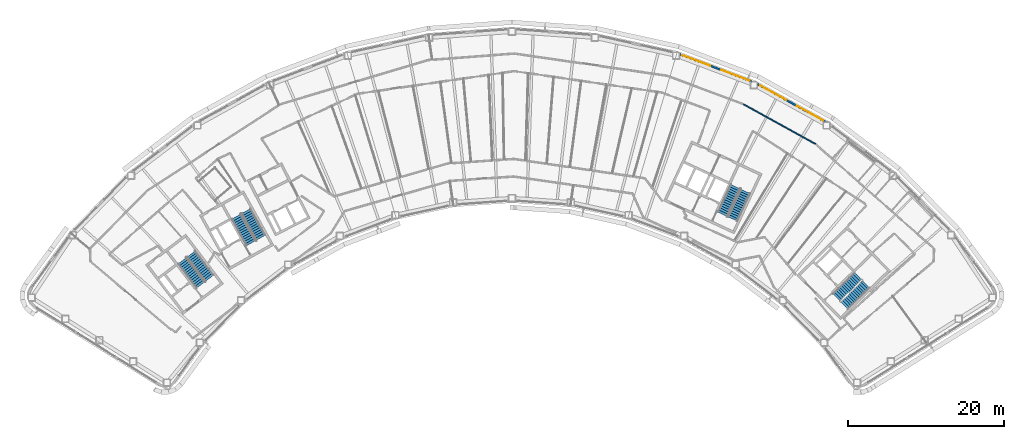
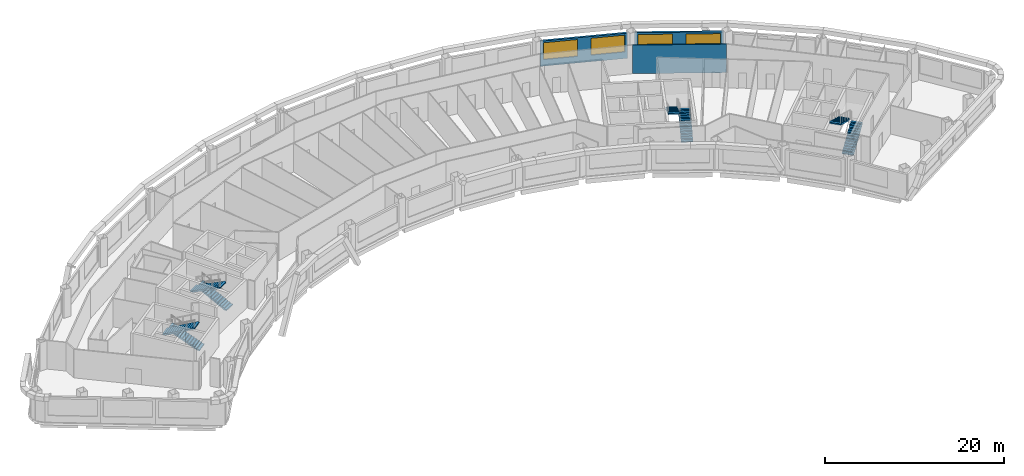
# One storey, part 12 of 17: 8 stair flights, 4 windows, 3 walls, 4 openings, 4 elements without a shape of their own.
"""IFC4 building model written with IfcOpenShell, lengths in metres."""

from ifc_helpers import new_model, si_unit, direction, frame, frame_2d, origin, place, context, subcontext, project, spatial, polyline, rectangle, outline, extrude, material, layer, layer_set, type_object, element, fill, aggregate, save


model = new_model("IFC4")

# Units and contexts
model_context = context("Model", 3, precision=1e-05, world=origin(), true_north=direction((0.0, 1.0)))
body_context = subcontext(model_context, "Body", "Model", "MODEL_VIEW")
ifc_project = project(units=[si_unit("LENGTHUNIT", "METRE"), si_unit("AREAUNIT", "SQUARE_METRE"), si_unit("VOLUMEUNIT", "CUBIC_METRE"), si_unit("PLANEANGLEUNIT", "RADIAN"), si_unit("MASSUNIT", "GRAM", prefix="KILO")], contexts=[model_context])

# Site, building, storey
site_placement = place(None, origin())
site = spatial("IfcSite", under=ifc_project, at=site_placement, CompositionType="ELEMENT")
building_placement = place(site_placement, origin())
building = spatial("IfcBuilding", under=site, at=building_placement, Name="Tuul Gate Civic Tower", CompositionType="ELEMENT")
storey_placement = place(building_placement, frame((0.0, 0.0, 222.10009765625)))
storey = spatial("IfcBuildingStorey", under=building, at=storey_placement, Name="Level 50", CompositionType="ELEMENT", Elevation=222.10009765625)

# Wall
ifc_material_1 = material(Name="Gypsum board partition")
ifc_layer_1 = layer(ifc_material_1, 0.14990234375)
ifc_layer_set_1 = layer_set([ifc_layer_1], Name="Gypsum board partition")
wall_type_1 = type_object("IfcWallType", Name="Corridor wall P150", PredefinedType="PARTITIONING", material=ifc_layer_set_1)
wall_1_placement = place(storey_placement, frame((35.687744140625, 9.25048828125, 0.0), z_axis=(0.0, 0.0, 1.0), x_axis=(0.874959859782, -0.484195460295, 0.0)))
element("IfcWall", 1, at=wall_1_placement, inside=storey, type_object=wall_type_1, Name="p008", PredefinedType="PARTITIONING", context=body_context, shape_type="SweptSolid", body=[
    extrude(rectangle(XDim=10.530517578125, YDim=0.14990234375, at=frame_2d((5.26513671875, 0.0))), origin(), (0.0, 0.0, 1.0), 3.89990234375),
])

# Wall, openings, windows
ifc_material_2 = material(Name="Precast concrete C40/50", Category="concrete")
ifc_layer_2 = layer(ifc_material_2, 0.25)
ifc_layer_set_2 = layer_set([ifc_layer_2], Name="Precast concrete C40/50")
wall_type_2 = type_object("IfcWallType", Name="External wall", PredefinedType="STANDARD", material=ifc_layer_set_2)
wall_2_placement = place(storey_placement, frame((46.201171875, 6.992919921875, 0.0), z_axis=(0.0, 0.0, 1.0), x_axis=(-0.874625464024, 0.484799234405, 0.0)))
wall_2 = element("IfcWall", 2, at=wall_2_placement, inside=storey, type_object=wall_type_2, Name="External wall", PredefinedType="STANDARD", context=body_context, shape_type="SweptSolid", body=[
    extrude(rectangle(XDim=10.00244140625, YDim=0.25, at=frame_2d((5.001220703125, 0.0))), origin(), (0.0, 0.0, 1.0), 3.449951171875),
])
opening_1_placement = place(wall_2_placement, frame((0.38671875, 0.0, 0.89990234375)))
opening_1 = element("IfcOpeningElement", 3, at=opening_1_placement, cuts=wall_2, Name="Opening W22", PredefinedType="OPENING", context=body_context, shape_type="SweptSolid", body=[
    extrude(rectangle(XDim=3.85009765625, YDim=2.300048828125, at=frame_2d((1.925048828125, 1.14990234375))), frame((0.0, 0.135009765625, 0.0), z_axis=(0.0, -1.0, 0.0), x_axis=(1.0, 0.0, 0.0)), (0.0, 0.0, 1.0), 0.27001953125),
])
opening_2_placement = place(wall_2_placement, frame((5.758056640625, 0.0, 0.89990234375)))
opening_2 = element("IfcOpeningElement", 4, at=opening_2_placement, cuts=wall_2, Name="Opening W22", PredefinedType="OPENING", context=body_context, shape_type="SweptSolid", body=[
    extrude(rectangle(XDim=3.85009765625, YDim=2.300048828125, at=frame_2d((1.925048828125, 1.14990234375))), frame((0.0, 0.135009765625, 0.0), z_axis=(0.0, -1.0, 0.0), x_axis=(1.0, 0.0, 0.0)), (0.0, 0.0, 1.0), 0.27001953125),
])
ifc_material_3 = material(Name="Glass", Category="glass")
window_type = type_object("IfcWindowType", Name="Window W22 3850 x 2300", PartitioningType="SINGLE_PANEL", PredefinedType="WINDOW", material=ifc_material_3)
window_1_placement = place(opening_1_placement, origin())
window_1 = element("IfcWindow", 5, at=window_1_placement, inside=storey, type_object=window_type, Name="Window", OverallHeight=2.300048828125, OverallWidth=3.85009765625, PartitioningType="SINGLE_PANEL", PredefinedType="WINDOW", context=body_context, shape_type="SweptSolid", body=[
    extrude(rectangle(XDim=3.85009765625, YDim=2.300048828125, at=frame_2d((1.925048828125, 1.14990234375))), frame((0.0, 0.030029296875, 0.0), z_axis=(0.0, -1.0, 0.0), x_axis=(1.0, 0.0, 0.0)), (0.0, 0.0, 1.0), 0.06005859375),
])
fill(opening_1, window_1)
window_2_placement = place(opening_2_placement, origin())
window_2 = element("IfcWindow", 6, at=window_2_placement, inside=storey, type_object=window_type, Name="Window", OverallHeight=2.300048828125, OverallWidth=3.85009765625, PartitioningType="SINGLE_PANEL", PredefinedType="WINDOW", context=body_context, shape_type="SweptSolid", body=[
    extrude(rectangle(XDim=3.85009765625, YDim=2.300048828125, at=frame_2d((1.925048828125, 1.14990234375))), frame((0.0, 0.030029296875, 0.0), z_axis=(0.0, -1.0, 0.0), x_axis=(1.0, 0.0, 0.0)), (0.0, 0.0, 1.0), 0.06005859375),
])
fill(opening_2, window_2)

wall_3_placement = place(storey_placement, frame((36.733642578125, 12.1689453125, 0.0), z_axis=(0.0, 0.0, 1.0), x_axis=(-0.935369774389, 0.353671295358, 0.0)))
wall_3 = element("IfcWall", 7, at=wall_3_placement, inside=storey, type_object=wall_type_2, Name="External wall", PredefinedType="STANDARD", context=body_context, shape_type="SweptSolid", body=[
    extrude(rectangle(XDim=9.907958984375, YDim=0.25, at=frame_2d((4.9541015625, 0.0))), origin(), (0.0, 0.0, 1.0), 3.449951171875),
])
opening_3_placement = place(wall_3_placement, frame((0.31689453125, 0.0, 0.89990234375)))
opening_3 = element("IfcOpeningElement", 8, at=opening_3_placement, cuts=wall_3, Name="Opening W22", PredefinedType="OPENING", context=body_context, shape_type="SweptSolid", body=[
    extrude(rectangle(XDim=3.85009765625, YDim=2.300048828125, at=frame_2d((1.925048828125, 1.14990234375))), frame((0.0, 0.135009765625, 0.0), z_axis=(0.0, -1.0, 0.0), x_axis=(1.0, 0.0, 0.0)), (0.0, 0.0, 1.0), 0.27001953125),
])
opening_4_placement = place(wall_3_placement, frame((5.68798828125, 0.0, 0.89990234375)))
opening_4 = element("IfcOpeningElement", 9, at=opening_4_placement, cuts=wall_3, Name="Opening W22", PredefinedType="OPENING", context=body_context, shape_type="SweptSolid", body=[
    extrude(rectangle(XDim=3.85009765625, YDim=2.300048828125, at=frame_2d((1.925048828125, 1.14990234375))), frame((0.0, 0.135009765625, 0.0), z_axis=(0.0, -1.0, 0.0), x_axis=(1.0, 0.0, 0.0)), (0.0, 0.0, 1.0), 0.27001953125),
])
window_3_placement = place(opening_3_placement, origin())
window_3 = element("IfcWindow", 10, at=window_3_placement, inside=storey, type_object=window_type, Name="Window", OverallHeight=2.300048828125, OverallWidth=3.85009765625, PartitioningType="SINGLE_PANEL", PredefinedType="WINDOW", context=body_context, shape_type="SweptSolid", body=[
    extrude(rectangle(XDim=3.85009765625, YDim=2.300048828125, at=frame_2d((1.925048828125, 1.14990234375))), frame((0.0, 0.030029296875, 0.0), z_axis=(0.0, -1.0, 0.0), x_axis=(1.0, 0.0, 0.0)), (0.0, 0.0, 1.0), 0.06005859375),
])
fill(opening_3, window_3)
window_4_placement = place(opening_4_placement, origin())
window_4 = element("IfcWindow", 11, at=window_4_placement, inside=storey, type_object=window_type, Name="Window", OverallHeight=2.300048828125, OverallWidth=3.85009765625, PartitioningType="SINGLE_PANEL", PredefinedType="WINDOW", context=body_context, shape_type="SweptSolid", body=[
    extrude(rectangle(XDim=3.85009765625, YDim=2.300048828125, at=frame_2d((1.925048828125, 1.14990234375))), frame((0.0, 0.030029296875, 0.0), z_axis=(0.0, -1.0, 0.0), x_axis=(1.0, 0.0, 0.0)), (0.0, 0.0, 1.0), 0.06005859375),
])
fill(opening_4, window_4)

# Stair, stair flights
ifc_material_4 = material(Name="Concrete C40/50", Category="concrete")
stair_type = type_object("IfcStairType", Name="Exit stair", PredefinedType="HALF_TURN_STAIR", material=ifc_material_4)
stair_1_placement = place(storey_placement, origin())
stair_1 = element("IfcStair", 12, at=stair_1_placement, inside=storey, type_object=stair_type, Name="Level 50 ST-1", PredefinedType="HALF_TURN_STAIR")
ifc_material_5 = material(Name="Concrete C40/50", Category="concrete")
stair_flight_type = type_object("IfcStairFlightType", Name="Exit stair flight", PredefinedType="STRAIGHT", material=ifc_material_5)
stair_flight_1_placement = place(storey_placement, frame((-32.875244140625, -13.066650390625, 0.0), z_axis=(0.0, 0.0, 1.0), x_axis=(-0.605764474941, 0.795644016442, 0.0)))
stair_flight_1 = element("IfcStairFlight", 13, at=stair_flight_1_placement, type_object=stair_flight_type, Name="ST-1 flight 1", NumberOfRisers=14, NumberOfTreads=13, PredefinedType="STRAIGHT", RiserHeight=0.15, TreadLength=0.3, context=body_context, shape_type="SweptSolid", body=[
    extrude(outline(polyline([(0.0, 0.0), (0.0, 0.14990234375), (0.300048828125, 0.14990234375), (0.300048828125, 0.300048828125), (0.60009765625, 0.300048828125), (0.60009765625, 0.449951171875), (0.89990234375, 0.449951171875), (0.89990234375, 0.60009765625), (1.199951171875, 0.60009765625), (1.199951171875, 0.75), (1.5, 0.75), (1.5, 0.89990234375), (1.800048828125, 0.89990234375), (1.800048828125, 1.050048828125), (2.10009765625, 1.050048828125), (2.10009765625, 1.199951171875), (2.39990234375, 1.199951171875), (2.39990234375, 1.35009765625), (2.699951171875, 1.35009765625), (2.699951171875, 1.5), (3.0, 1.5), (3.0, 1.64990234375), (3.300048828125, 1.64990234375), (3.300048828125, 1.800048828125), (3.60009765625, 1.800048828125), (3.60009765625, 1.949951171875), (3.89990234375, 1.949951171875), (3.89990234375, 2.10009765625), (3.89990234375, 1.782470703125), (0.335205078125, 0.0), (0.0, 0.0)])), frame((0.0, 0.675048828125, 0.0), z_axis=(0.0, -1.0, 0.0), x_axis=(1.0, 0.0, 0.0)), (0.0, 0.0, 1.0), 1.35009765625),
])
stair_flight_2_placement = place(storey_placement, frame((-36.391357421875, -10.842041015625, 2.099853515625), z_axis=(0.0, 0.0, 1.0), x_axis=(0.605764474941, -0.795644016442, 0.0)))
stair_flight_2 = element("IfcStairFlight", 14, at=stair_flight_2_placement, type_object=stair_flight_type, Name="ST-1 flight 2", NumberOfRisers=14, NumberOfTreads=13, PredefinedType="STRAIGHT", RiserHeight=0.15, TreadLength=0.3, context=body_context, shape_type="SweptSolid", body=[
    extrude(outline(polyline([(0.0, 0.0), (0.0, 0.14990234375), (0.300048828125, 0.14990234375), (0.300048828125, 0.300048828125), (0.60009765625, 0.300048828125), (0.60009765625, 0.449951171875), (0.89990234375, 0.449951171875), (0.89990234375, 0.60009765625), (1.199951171875, 0.60009765625), (1.199951171875, 0.75), (1.5, 0.75), (1.5, 0.89990234375), (1.800048828125, 0.89990234375), (1.800048828125, 1.050048828125), (2.10009765625, 1.050048828125), (2.10009765625, 1.199951171875), (2.39990234375, 1.199951171875), (2.39990234375, 1.35009765625), (2.699951171875, 1.35009765625), (2.699951171875, 1.5), (3.0, 1.5), (3.0, 1.64990234375), (3.300048828125, 1.64990234375), (3.300048828125, 1.800048828125), (3.60009765625, 1.800048828125), (3.60009765625, 1.949951171875), (3.89990234375, 1.949951171875), (3.89990234375, 2.10009765625), (3.89990234375, 1.782470703125), (0.335205078125, 0.0), (0.0, 0.0)])), frame((0.0, 0.675048828125, 0.0), z_axis=(0.0, -1.0, 0.0), x_axis=(1.0, 0.0, 0.0)), (0.0, 0.0, 1.0), 1.35009765625),
])
aggregate(stair_1, [stair_flight_1, stair_flight_2])

stair_2_placement = place(storey_placement, origin())
stair_2 = element("IfcStair", 15, at=stair_2_placement, inside=storey, type_object=stair_type, Name="Level 50 ST-2", PredefinedType="HALF_TURN_STAIR")
stair_flight_3_placement = place(storey_placement, frame((-26.29150390625, -7.87646484375, 0.0), z_axis=(0.0, 0.0, 1.0), x_axis=(-0.484761763766, 0.874646232708, 0.0)))
stair_flight_3 = element("IfcStairFlight", 16, at=stair_flight_3_placement, type_object=stair_flight_type, Name="ST-2 flight 1", NumberOfRisers=14, NumberOfTreads=13, PredefinedType="STRAIGHT", RiserHeight=0.15, TreadLength=0.3, context=body_context, shape_type="SweptSolid", body=[
    extrude(outline(polyline([(0.0, 0.0), (0.0, 0.14990234375), (0.300048828125, 0.14990234375), (0.300048828125, 0.300048828125), (0.60009765625, 0.300048828125), (0.60009765625, 0.449951171875), (0.89990234375, 0.449951171875), (0.89990234375, 0.60009765625), (1.199951171875, 0.60009765625), (1.199951171875, 0.75), (1.5, 0.75), (1.5, 0.89990234375), (1.800048828125, 0.89990234375), (1.800048828125, 1.050048828125), (2.10009765625, 1.050048828125), (2.10009765625, 1.199951171875), (2.39990234375, 1.199951171875), (2.39990234375, 1.35009765625), (2.699951171875, 1.35009765625), (2.699951171875, 1.5), (3.0, 1.5), (3.0, 1.64990234375), (3.300048828125, 1.64990234375), (3.300048828125, 1.800048828125), (3.60009765625, 1.800048828125), (3.60009765625, 1.949951171875), (3.89990234375, 1.949951171875), (3.89990234375, 2.10009765625), (3.89990234375, 1.782470703125), (0.335205078125, 0.0), (0.0, 0.0)])), frame((0.0, 0.675048828125, 0.0), z_axis=(0.0, -1.0, 0.0), x_axis=(1.0, 0.0, 0.0)), (0.0, 0.0, 1.0), 1.35009765625),
])
stair_flight_4_placement = place(storey_placement, frame((-29.450439453125, -5.168212890625, 2.099853515625), z_axis=(0.0, 0.0, 1.0), x_axis=(0.484761763766, -0.874646232708, 0.0)))
stair_flight_4 = element("IfcStairFlight", 17, at=stair_flight_4_placement, type_object=stair_flight_type, Name="ST-2 flight 2", NumberOfRisers=14, NumberOfTreads=13, PredefinedType="STRAIGHT", RiserHeight=0.15, TreadLength=0.3, context=body_context, shape_type="SweptSolid", body=[
    extrude(outline(polyline([(0.0, 0.0), (0.0, 0.14990234375), (0.300048828125, 0.14990234375), (0.300048828125, 0.300048828125), (0.60009765625, 0.300048828125), (0.60009765625, 0.449951171875), (0.89990234375, 0.449951171875), (0.89990234375, 0.60009765625), (1.199951171875, 0.60009765625), (1.199951171875, 0.75), (1.5, 0.75), (1.5, 0.89990234375), (1.800048828125, 0.89990234375), (1.800048828125, 1.050048828125), (2.10009765625, 1.050048828125), (2.10009765625, 1.199951171875), (2.39990234375, 1.199951171875), (2.39990234375, 1.35009765625), (2.699951171875, 1.35009765625), (2.699951171875, 1.5), (3.0, 1.5), (3.0, 1.64990234375), (3.300048828125, 1.64990234375), (3.300048828125, 1.800048828125), (3.60009765625, 1.800048828125), (3.60009765625, 1.949951171875), (3.89990234375, 1.949951171875), (3.89990234375, 2.10009765625), (3.89990234375, 1.782470703125), (0.335205078125, 0.0), (0.0, 0.0)])), frame((0.0, 0.675048828125, 0.0), z_axis=(0.0, -1.0, 0.0), x_axis=(1.0, 0.0, 0.0)), (0.0, 0.0, 1.0), 1.35009765625),
])
aggregate(stair_2, [stair_flight_3, stair_flight_4])

stair_3_placement = place(storey_placement, origin())
stair_3 = element("IfcStair", 18, at=stair_3_placement, inside=storey, type_object=stair_type, Name="Level 50 ST-3", PredefinedType="HALF_TURN_STAIR")
stair_flight_5_placement = place(storey_placement, frame((48.61376953125, -16.581787109375, 0.0), z_axis=(0.0, 0.0, 1.0), x_axis=(0.714127290059, 0.700015866672, 0.0)))
stair_flight_5 = element("IfcStairFlight", 19, at=stair_flight_5_placement, type_object=stair_flight_type, Name="ST-3 flight 1", NumberOfRisers=14, NumberOfTreads=13, PredefinedType="STRAIGHT", RiserHeight=0.15, TreadLength=0.3, context=body_context, shape_type="SweptSolid", body=[
    extrude(outline(polyline([(0.0, 0.0), (0.0, 0.14990234375), (0.300048828125, 0.14990234375), (0.300048828125, 0.300048828125), (0.60009765625, 0.300048828125), (0.60009765625, 0.449951171875), (0.89990234375, 0.449951171875), (0.89990234375, 0.60009765625), (1.199951171875, 0.60009765625), (1.199951171875, 0.75), (1.5, 0.75), (1.5, 0.89990234375), (1.800048828125, 0.89990234375), (1.800048828125, 1.050048828125), (2.10009765625, 1.050048828125), (2.10009765625, 1.199951171875), (2.39990234375, 1.199951171875), (2.39990234375, 1.35009765625), (2.699951171875, 1.35009765625), (2.699951171875, 1.5), (3.0, 1.5), (3.0, 1.64990234375), (3.300048828125, 1.64990234375), (3.300048828125, 1.800048828125), (3.60009765625, 1.800048828125), (3.60009765625, 1.949951171875), (3.89990234375, 1.949951171875), (3.89990234375, 2.10009765625), (3.89990234375, 1.782470703125), (0.335205078125, 0.0), (0.0, 0.0)])), frame((0.0, 0.675048828125, 0.0), z_axis=(0.0, -1.0, 0.0), x_axis=(1.0, 0.0, 0.0)), (0.0, 0.0, 1.0), 1.35009765625),
])
stair_flight_6_placement = place(storey_placement, frame((50.3837890625, -12.816162109375, 2.099853515625), z_axis=(0.0, 0.0, 1.0), x_axis=(-0.714127290059, -0.700015866672, 0.0)))
stair_flight_6 = element("IfcStairFlight", 20, at=stair_flight_6_placement, type_object=stair_flight_type, Name="ST-3 flight 2", NumberOfRisers=14, NumberOfTreads=13, PredefinedType="STRAIGHT", RiserHeight=0.15, TreadLength=0.3, context=body_context, shape_type="SweptSolid", body=[
    extrude(outline(polyline([(0.0, 0.0), (0.0, 0.14990234375), (0.300048828125, 0.14990234375), (0.300048828125, 0.300048828125), (0.60009765625, 0.300048828125), (0.60009765625, 0.449951171875), (0.89990234375, 0.449951171875), (0.89990234375, 0.60009765625), (1.199951171875, 0.60009765625), (1.199951171875, 0.75), (1.5, 0.75), (1.5, 0.89990234375), (1.800048828125, 0.89990234375), (1.800048828125, 1.050048828125), (2.10009765625, 1.050048828125), (2.10009765625, 1.199951171875), (2.39990234375, 1.199951171875), (2.39990234375, 1.35009765625), (2.699951171875, 1.35009765625), (2.699951171875, 1.5), (3.0, 1.5), (3.0, 1.64990234375), (3.300048828125, 1.64990234375), (3.300048828125, 1.800048828125), (3.60009765625, 1.800048828125), (3.60009765625, 1.949951171875), (3.89990234375, 1.949951171875), (3.89990234375, 2.10009765625), (3.89990234375, 1.782470703125), (0.335205078125, 0.0), (0.0, 0.0)])), frame((0.0, 0.675048828125, 0.0), z_axis=(0.0, -1.0, 0.0), x_axis=(1.0, 0.0, 0.0)), (0.0, 0.0, 1.0), 1.35009765625),
])
aggregate(stair_3, [stair_flight_5, stair_flight_6])

stair_4_placement = place(storey_placement, origin())
stair_4 = element("IfcStair", 21, at=stair_4_placement, inside=storey, type_object=stair_type, Name="Level 50 ST-4", PredefinedType="HALF_TURN_STAIR")
stair_flight_7_placement = place(storey_placement, frame((34.278564453125, -5.478515625, 0.0), z_axis=(0.0, 0.0, 1.0), x_axis=(0.422576295988, 0.906327354806, 0.0)))
stair_flight_7 = element("IfcStairFlight", 22, at=stair_flight_7_placement, type_object=stair_flight_type, Name="ST-4 flight 1", NumberOfRisers=14, NumberOfTreads=13, PredefinedType="STRAIGHT", RiserHeight=0.15, TreadLength=0.3, context=body_context, shape_type="SweptSolid", body=[
    extrude(outline(polyline([(0.0, 0.0), (0.0, 0.14990234375), (0.300048828125, 0.14990234375), (0.300048828125, 0.300048828125), (0.60009765625, 0.300048828125), (0.60009765625, 0.449951171875), (0.89990234375, 0.449951171875), (0.89990234375, 0.60009765625), (1.199951171875, 0.60009765625), (1.199951171875, 0.75), (1.5, 0.75), (1.5, 0.89990234375), (1.800048828125, 0.89990234375), (1.800048828125, 1.050048828125), (2.10009765625, 1.050048828125), (2.10009765625, 1.199951171875), (2.39990234375, 1.199951171875), (2.39990234375, 1.35009765625), (2.699951171875, 1.35009765625), (2.699951171875, 1.5), (3.0, 1.5), (3.0, 1.64990234375), (3.300048828125, 1.64990234375), (3.300048828125, 1.800048828125), (3.60009765625, 1.800048828125), (3.60009765625, 1.949951171875), (3.89990234375, 1.949951171875), (3.89990234375, 2.10009765625), (3.89990234375, 1.782470703125), (0.335205078125, 0.0), (0.0, 0.0)])), frame((0.0, 0.675048828125, 0.0), z_axis=(0.0, -1.0, 0.0), x_axis=(1.0, 0.0, 0.0)), (0.0, 0.0, 1.0), 1.35009765625),
])
stair_flight_8_placement = place(storey_placement, frame((34.612548828125, -1.3310546875, 2.099853515625), z_axis=(0.0, 0.0, 1.0), x_axis=(-0.422576295988, -0.906327354806, 0.0)))
stair_flight_8 = element("IfcStairFlight", 23, at=stair_flight_8_placement, type_object=stair_flight_type, Name="ST-4 flight 2", NumberOfRisers=14, NumberOfTreads=13, PredefinedType="STRAIGHT", RiserHeight=0.15, TreadLength=0.3, context=body_context, shape_type="SweptSolid", body=[
    extrude(outline(polyline([(0.0, 0.0), (0.0, 0.14990234375), (0.300048828125, 0.14990234375), (0.300048828125, 0.300048828125), (0.60009765625, 0.300048828125), (0.60009765625, 0.449951171875), (0.89990234375, 0.449951171875), (0.89990234375, 0.60009765625), (1.199951171875, 0.60009765625), (1.199951171875, 0.75), (1.5, 0.75), (1.5, 0.89990234375), (1.800048828125, 0.89990234375), (1.800048828125, 1.050048828125), (2.10009765625, 1.050048828125), (2.10009765625, 1.199951171875), (2.39990234375, 1.199951171875), (2.39990234375, 1.35009765625), (2.699951171875, 1.35009765625), (2.699951171875, 1.5), (3.0, 1.5), (3.0, 1.64990234375), (3.300048828125, 1.64990234375), (3.300048828125, 1.800048828125), (3.60009765625, 1.800048828125), (3.60009765625, 1.949951171875), (3.89990234375, 1.949951171875), (3.89990234375, 2.10009765625), (3.89990234375, 1.782470703125), (0.335205078125, 0.0), (0.0, 0.0)])), frame((0.0, 0.675048828125, 0.0), z_axis=(0.0, -1.0, 0.0), x_axis=(1.0, 0.0, 0.0)), (0.0, 0.0, 1.0), 1.35009765625),
])
aggregate(stair_4, [stair_flight_7, stair_flight_8])

save(model, "model.ifc")
